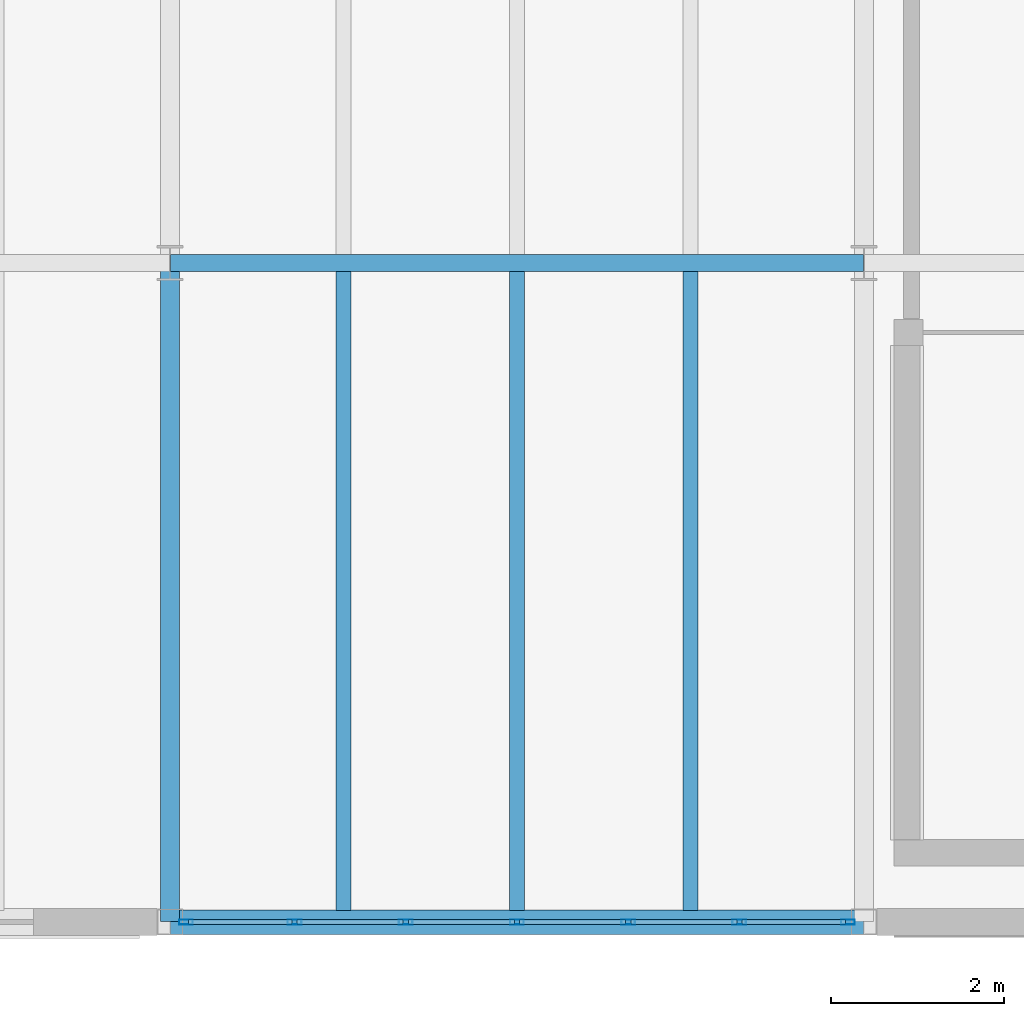
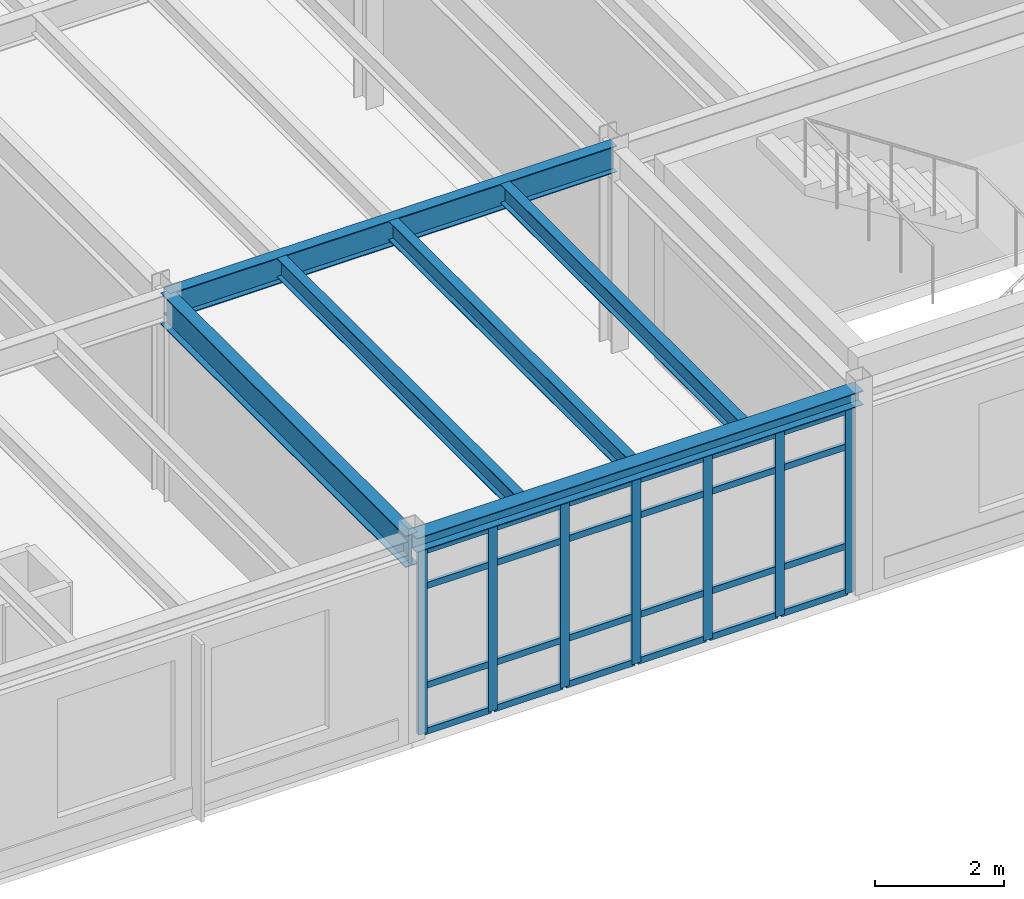
# One storey, part 97 of 165: 31 members, 6 beams, 1 element without a shape of its own.
"""IFC4 building model written with IfcOpenShell, lengths in metres."""

from ifc_helpers import new_model, si_unit, direction, frame, origin, origin_2d, place, context, subcontext, project, spatial, hollow_rectangle, i_section, extrude, material, layer, layer_set, material_profile, profile_set, type_object, element, aggregate, save


model = new_model("IFC4")

# Units and contexts
model_context = context("Model", 3, precision=1e-05, world=origin(), true_north=direction((0.0, 1.0)))
body_context = subcontext(model_context, "Body", "Model", "MODEL_VIEW")
ifc_project = project(units=[si_unit("LENGTHUNIT", "METRE"), si_unit("AREAUNIT", "SQUARE_METRE"), si_unit("VOLUMEUNIT", "CUBIC_METRE"), si_unit("PLANEANGLEUNIT", "RADIAN"), si_unit("MASSUNIT", "GRAM", prefix="KILO")], contexts=[model_context])

# Site, building, storey
site_placement = place(None, origin())
site = spatial("IfcSite", under=ifc_project, at=site_placement, CompositionType="ELEMENT")
building_placement = place(site_placement, origin())
building = spatial("IfcBuilding", under=site, at=building_placement, Name="Montecoro Central Library", CompositionType="ELEMENT")
storey_placement = place(building_placement, frame((0.0, 0.0, 5.10009765625)))
storey = spatial("IfcBuildingStorey", under=building, at=storey_placement, Name="L01", CompositionType="ELEMENT", Elevation=5.10009765625)

# Beams
ifc_material_1 = material(Name="Steel S355", Category="steel")
ifc_material_profile_1 = material_profile(ifc_material_1, i_section(OverallWidth=0.199951171875, OverallDepth=0.5, WebThickness=0.01025390625, FlangeThickness=0.01611328125, at=origin_2d()), Name="IPE 500")
ifc_profile_set_1 = profile_set([ifc_material_profile_1], Name="Steel S355")
beam_type_1 = type_object("IfcBeamType", Name="BM-G-IPE500", PredefinedType="USERDEFINED", material=ifc_profile_set_1)
beam_1_placement = place(storey_placement, frame((149.0048828125, 12.60009765625, 3.574951171875), z_axis=(1.0, 0.0, 0.0), x_axis=(0.0, 1.0, 0.0)))
element("IfcBeam", 1, at=beam_1_placement, inside=storey, type_object=beam_type_1, Name="V6-L01-BX-1920-B", ObjectType="GIRDER", PredefinedType="USERDEFINED", context=body_context, shape_type="SweptSolid", body=[
    extrude(i_section(OverallWidth=0.199951171875, OverallDepth=0.5, WebThickness=0.01025390625, FlangeThickness=0.01611328125, at=origin_2d()), origin(), (0.0, 0.0, 1.0), 7.990234375),
])
ifc_material_2 = material(Name="Steel S355J2", Category="steel")
ifc_material_profile_2 = material_profile(ifc_material_2, i_section(OverallWidth=0.219970703125, OverallDepth=0.60009765625, WebThickness=0.011962890625, FlangeThickness=0.01904296875, at=origin_2d()), Name="IPE 600")
ifc_profile_set_2 = profile_set([ifc_material_profile_2], Name="Steel S355J2")
beam_type_2 = type_object("IfcBeamType", Name="BM-G-IPE600", PredefinedType="USERDEFINED", material=ifc_profile_set_2)
beam_2_placement = place(storey_placement, frame((149.0, 5.0048828125, 3.52490234375), z_axis=(0.0, 1.0, 0.0), x_axis=(-1.0, 0.0, 0.0)))
element("IfcBeam", 2, at=beam_2_placement, inside=storey, type_object=beam_type_2, Name="V6-L01-BY-19-AB", ObjectType="GIRDER", PredefinedType="USERDEFINED", context=body_context, shape_type="SweptSolid", body=[
    extrude(i_section(OverallWidth=0.219970703125, OverallDepth=0.60009765625, WebThickness=0.011962890625, FlangeThickness=0.01904296875, at=origin_2d()), origin(), (0.0, 0.0, 1.0), 7.590087890625),
])
ifc_material_profile_3 = material_profile(ifc_material_1, i_section(OverallWidth=0.169921875, OverallDepth=0.360107421875, WebThickness=0.008056640625, FlangeThickness=0.0126953125, at=origin_2d()), Name="IPE 360")
ifc_profile_set_3 = profile_set([ifc_material_profile_3], Name="Steel S355")
beam_type_3 = type_object("IfcBeamType", Name="BM-J-IPE360", PredefinedType="JOIST", material=ifc_profile_set_3)
for number, where, z_axis, x_axis, name in (
    (3, (151.0, 5.136962890625, 3.64501953125), (0.0, 1.0, 0.0), (-1.0, 0.0, 0.0), "V6-L01-JS-1920-AB-1"),
    (4, (153.0, 5.136962890625, 3.64501953125), (0.0, 1.0, 0.0), (-1.0, 0.0, 0.0), "V6-L01-JS-1920-AB-2"),
    (5, (155.0, 5.136962890625, 3.64501953125), (0.0, 1.0, 0.0), (-1.0, 0.0, 0.0), "V6-L01-JS-1920-AB-3"),
):
    element("IfcBeam", number, at=place(storey_placement, frame(where, z_axis=z_axis, x_axis=x_axis)), inside=storey, type_object=beam_type_3, Name=name, PredefinedType="JOIST", context=body_context, shape_type="SweptSolid", body=[
        extrude(i_section(OverallWidth=0.169921875, OverallDepth=0.360107421875, WebThickness=0.008056640625, FlangeThickness=0.0126953125, at=origin_2d()), origin(), (0.0, 0.0, 1.0), 7.365966796875),
    ])
ifc_material_profile_4 = material_profile(ifc_material_1, i_section(OverallWidth=0.280029296875, OverallDepth=0.27001953125, WebThickness=0.008056640625, FlangeThickness=0.012939453125, at=origin_2d()), Name="HEA 280")
ifc_profile_set_4 = profile_set([ifc_material_profile_4], Name="Steel S355")
beam_type_4 = type_object("IfcBeamType", Name="BM-SP-HEA280", PredefinedType="SPANDREL", material=ifc_profile_set_4)
beam_3_placement = place(storey_placement, frame((149.0048828125, 5.0, 3.68994140625), z_axis=(1.0, 0.0, 0.0), x_axis=(0.0, 1.0, 0.0)))
element("IfcBeam", 6, at=beam_3_placement, inside=storey, type_object=beam_type_4, Name="V6-L01-BX-1920-A", PredefinedType="SPANDREL", context=body_context, shape_type="SweptSolid", body=[
    extrude(i_section(OverallWidth=0.280029296875, OverallDepth=0.27001953125, WebThickness=0.008056640625, FlangeThickness=0.012939453125, at=origin_2d()), origin(), (0.0, 0.0, 1.0), 7.990234375),
])

# Curtain wall, members
ifc_material_3 = material(Name="Bronze-anodised aluminium and low-E glazing", Category="aluminium")
ifc_layer = layer(ifc_material_3, 0.159912109375)
ifc_layer_set = layer_set([ifc_layer], Name="Bronze-anodised aluminium and low-E glazing")
curtain_wall_type = type_object("IfcCurtainWallType", Name="CWT-060", PredefinedType="NOTDEFINED", material=ifc_layer_set)
curtain_wall_placement = place(storey_placement, origin())
curtain_wall = element("IfcCurtainWall", 7, at=curtain_wall_placement, inside=storey, type_object=curtain_wall_type, Name="V6-L01-CW-S1", PredefinedType="NOTDEFINED")
ifc_material_4 = material(Name="Bronze-anodised aluminium", Category="aluminium")
ifc_material_profile_5 = material_profile(ifc_material_4, hollow_rectangle(XDim=0.06005859375, YDim=0.159912109375, WallThickness=0.00390625, at=origin_2d()), Name="CWM 160x60x4.0")
ifc_profile_set_5 = profile_set([ifc_material_profile_5], Name="Bronze-anodised aluminium")
member_type_1 = type_object("IfcMemberType", Name="CWM-BRZ-60", PredefinedType="MULLION", material=ifc_profile_set_5)
member_1_placement = place(storey_placement, frame((149.18310546875, 5.0, 0.0), z_axis=(0.0, 0.0, 1.0), x_axis=(0.0, 1.0, 0.0)))
member_1 = element("IfcMember", 8, at=member_1_placement, type_object=member_type_1, Name="CW-060 mullion 1", PredefinedType="MULLION", context=body_context, shape_type="SweptSolid", body=[
    extrude(hollow_rectangle(XDim=0.06005859375, YDim=0.159912109375, WallThickness=0.00390625, at=origin_2d()), origin(), (0.0, 0.0, 1.0), 3.47998046875),
])
member_2_placement = place(storey_placement, frame((150.435302734375, 5.0, 0.0), z_axis=(0.0, 0.0, 1.0), x_axis=(0.0, 1.0, 0.0)))
member_2 = element("IfcMember", 9, at=member_2_placement, type_object=member_type_1, Name="CW-060 mullion 2", PredefinedType="MULLION", context=body_context, shape_type="SweptSolid", body=[
    extrude(hollow_rectangle(XDim=0.06005859375, YDim=0.159912109375, WallThickness=0.00390625, at=origin_2d()), origin(), (0.0, 0.0, 1.0), 3.47998046875),
])
member_3_placement = place(storey_placement, frame((151.7177734375, 5.0, 0.0), z_axis=(0.0, 0.0, 1.0), x_axis=(0.0, 1.0, 0.0)))
member_3 = element("IfcMember", 10, at=member_3_placement, type_object=member_type_1, Name="CW-060 mullion 3", PredefinedType="MULLION", context=body_context, shape_type="SweptSolid", body=[
    extrude(hollow_rectangle(XDim=0.06005859375, YDim=0.159912109375, WallThickness=0.00390625, at=origin_2d()), origin(), (0.0, 0.0, 1.0), 3.47998046875),
])
member_4_placement = place(storey_placement, frame((153.0, 5.0, 0.0), z_axis=(0.0, 0.0, 1.0), x_axis=(0.0, 1.0, 0.0)))
member_4 = element("IfcMember", 11, at=member_4_placement, type_object=member_type_1, Name="CW-060 mullion 4", PredefinedType="MULLION", context=body_context, shape_type="SweptSolid", body=[
    extrude(hollow_rectangle(XDim=0.06005859375, YDim=0.159912109375, WallThickness=0.00390625, at=origin_2d()), origin(), (0.0, 0.0, 1.0), 3.47998046875),
])
member_5_placement = place(storey_placement, frame((154.2822265625, 5.0, 0.0), z_axis=(0.0, 0.0, 1.0), x_axis=(0.0, 1.0, 0.0)))
member_5 = element("IfcMember", 12, at=member_5_placement, type_object=member_type_1, Name="CW-060 mullion 5", PredefinedType="MULLION", context=body_context, shape_type="SweptSolid", body=[
    extrude(hollow_rectangle(XDim=0.06005859375, YDim=0.159912109375, WallThickness=0.00390625, at=origin_2d()), origin(), (0.0, 0.0, 1.0), 3.47998046875),
])
member_6_placement = place(storey_placement, frame((155.564697265625, 5.0, 0.0), z_axis=(0.0, 0.0, 1.0), x_axis=(0.0, 1.0, 0.0)))
member_6 = element("IfcMember", 13, at=member_6_placement, type_object=member_type_1, Name="CW-060 mullion 6", PredefinedType="MULLION", context=body_context, shape_type="SweptSolid", body=[
    extrude(hollow_rectangle(XDim=0.06005859375, YDim=0.159912109375, WallThickness=0.00390625, at=origin_2d()), origin(), (0.0, 0.0, 1.0), 3.47998046875),
])
member_7_placement = place(storey_placement, frame((156.81689453125, 5.0, 0.0), z_axis=(0.0, 0.0, 1.0), x_axis=(0.0, 1.0, 0.0)))
member_7 = element("IfcMember", 14, at=member_7_placement, type_object=member_type_1, Name="CW-060 mullion 7", PredefinedType="MULLION", context=body_context, shape_type="SweptSolid", body=[
    extrude(hollow_rectangle(XDim=0.06005859375, YDim=0.159912109375, WallThickness=0.00390625, at=origin_2d()), origin(), (0.0, 0.0, 1.0), 3.47998046875),
])
ifc_material_profile_6 = material_profile(ifc_material_4, hollow_rectangle(XDim=0.06005859375, YDim=0.1201171875, WallThickness=0.00390625, at=origin_2d()), Name="CWT 120x60x4.0")
ifc_profile_set_6 = profile_set([ifc_material_profile_6], Name="Bronze-anodised aluminium")
member_type_2 = type_object("IfcMemberType", Name="CWT-BRZ-60", PredefinedType="USERDEFINED", material=ifc_profile_set_6)
member_8_placement = place(storey_placement, frame((149.212890625, 5.0, 0.02978515625), z_axis=(1.0, 0.0, 0.0), x_axis=(0.0, 1.0, 0.0)))
member_8 = element("IfcMember", 15, at=member_8_placement, type_object=member_type_2, Name="CW-060 transom 1.1", ObjectType="TRANSOM", PredefinedType="USERDEFINED", context=body_context, shape_type="SweptSolid", body=[
    extrude(hollow_rectangle(XDim=0.06005859375, YDim=0.1201171875, WallThickness=0.00390625, at=origin_2d()), origin(), (0.0, 0.0, 1.0), 1.1923828125),
])
member_9_placement = place(storey_placement, frame((149.212890625, 5.0, 0.89990234375), z_axis=(1.0, 0.0, 0.0), x_axis=(0.0, 1.0, 0.0)))
member_9 = element("IfcMember", 16, at=member_9_placement, type_object=member_type_2, Name="CW-060 transom 1.2", ObjectType="TRANSOM", PredefinedType="USERDEFINED", context=body_context, shape_type="SweptSolid", body=[
    extrude(hollow_rectangle(XDim=0.06005859375, YDim=0.1201171875, WallThickness=0.00390625, at=origin_2d()), origin(), (0.0, 0.0, 1.0), 1.1923828125),
])
member_10_placement = place(storey_placement, frame((149.212890625, 5.0, 2.77978515625), z_axis=(1.0, 0.0, 0.0), x_axis=(0.0, 1.0, 0.0)))
member_10 = element("IfcMember", 17, at=member_10_placement, type_object=member_type_2, Name="CW-060 transom 1.3", ObjectType="TRANSOM", PredefinedType="USERDEFINED", context=body_context, shape_type="SweptSolid", body=[
    extrude(hollow_rectangle(XDim=0.06005859375, YDim=0.1201171875, WallThickness=0.00390625, at=origin_2d()), origin(), (0.0, 0.0, 1.0), 1.1923828125),
])
member_11_placement = place(storey_placement, frame((149.212890625, 5.0, 3.449951171875), z_axis=(1.0, 0.0, 0.0), x_axis=(0.0, 1.0, 0.0)))
member_11 = element("IfcMember", 18, at=member_11_placement, type_object=member_type_2, Name="CW-060 transom 1.4", ObjectType="TRANSOM", PredefinedType="USERDEFINED", context=body_context, shape_type="SweptSolid", body=[
    extrude(hollow_rectangle(XDim=0.06005859375, YDim=0.1201171875, WallThickness=0.00390625, at=origin_2d()), origin(), (0.0, 0.0, 1.0), 1.1923828125),
])
member_12_placement = place(storey_placement, frame((150.46533203125, 5.0, 0.02978515625), z_axis=(1.0, 0.0, 0.0), x_axis=(0.0, 1.0, 0.0)))
member_12 = element("IfcMember", 19, at=member_12_placement, type_object=member_type_2, Name="CW-060 transom 2.1", ObjectType="TRANSOM", PredefinedType="USERDEFINED", context=body_context, shape_type="SweptSolid", body=[
    extrude(hollow_rectangle(XDim=0.06005859375, YDim=0.1201171875, WallThickness=0.00390625, at=origin_2d()), origin(), (0.0, 0.0, 1.0), 1.222412109375),
])
member_13_placement = place(storey_placement, frame((150.46533203125, 5.0, 0.89990234375), z_axis=(1.0, 0.0, 0.0), x_axis=(0.0, 1.0, 0.0)))
member_13 = element("IfcMember", 20, at=member_13_placement, type_object=member_type_2, Name="CW-060 transom 2.2", ObjectType="TRANSOM", PredefinedType="USERDEFINED", context=body_context, shape_type="SweptSolid", body=[
    extrude(hollow_rectangle(XDim=0.06005859375, YDim=0.1201171875, WallThickness=0.00390625, at=origin_2d()), origin(), (0.0, 0.0, 1.0), 1.222412109375),
])
member_14_placement = place(storey_placement, frame((150.46533203125, 5.0, 2.77978515625), z_axis=(1.0, 0.0, 0.0), x_axis=(0.0, 1.0, 0.0)))
member_14 = element("IfcMember", 21, at=member_14_placement, type_object=member_type_2, Name="CW-060 transom 2.3", ObjectType="TRANSOM", PredefinedType="USERDEFINED", context=body_context, shape_type="SweptSolid", body=[
    extrude(hollow_rectangle(XDim=0.06005859375, YDim=0.1201171875, WallThickness=0.00390625, at=origin_2d()), origin(), (0.0, 0.0, 1.0), 1.222412109375),
])
member_15_placement = place(storey_placement, frame((150.46533203125, 5.0, 3.449951171875), z_axis=(1.0, 0.0, 0.0), x_axis=(0.0, 1.0, 0.0)))
member_15 = element("IfcMember", 22, at=member_15_placement, type_object=member_type_2, Name="CW-060 transom 2.4", ObjectType="TRANSOM", PredefinedType="USERDEFINED", context=body_context, shape_type="SweptSolid", body=[
    extrude(hollow_rectangle(XDim=0.06005859375, YDim=0.1201171875, WallThickness=0.00390625, at=origin_2d()), origin(), (0.0, 0.0, 1.0), 1.222412109375),
])
member_16_placement = place(storey_placement, frame((151.74755859375, 5.0, 0.02978515625), z_axis=(1.0, 0.0, 0.0), x_axis=(0.0, 1.0, 0.0)))
member_16 = element("IfcMember", 23, at=member_16_placement, type_object=member_type_2, Name="CW-060 transom 3.1", ObjectType="TRANSOM", PredefinedType="USERDEFINED", context=body_context, shape_type="SweptSolid", body=[
    extrude(hollow_rectangle(XDim=0.06005859375, YDim=0.1201171875, WallThickness=0.00390625, at=origin_2d()), origin(), (0.0, 0.0, 1.0), 1.222412109375),
])
member_17_placement = place(storey_placement, frame((151.74755859375, 5.0, 0.89990234375), z_axis=(1.0, 0.0, 0.0), x_axis=(0.0, 1.0, 0.0)))
member_17 = element("IfcMember", 24, at=member_17_placement, type_object=member_type_2, Name="CW-060 transom 3.2", ObjectType="TRANSOM", PredefinedType="USERDEFINED", context=body_context, shape_type="SweptSolid", body=[
    extrude(hollow_rectangle(XDim=0.06005859375, YDim=0.1201171875, WallThickness=0.00390625, at=origin_2d()), origin(), (0.0, 0.0, 1.0), 1.222412109375),
])
member_18_placement = place(storey_placement, frame((151.74755859375, 5.0, 2.77978515625), z_axis=(1.0, 0.0, 0.0), x_axis=(0.0, 1.0, 0.0)))
member_18 = element("IfcMember", 25, at=member_18_placement, type_object=member_type_2, Name="CW-060 transom 3.3", ObjectType="TRANSOM", PredefinedType="USERDEFINED", context=body_context, shape_type="SweptSolid", body=[
    extrude(hollow_rectangle(XDim=0.06005859375, YDim=0.1201171875, WallThickness=0.00390625, at=origin_2d()), origin(), (0.0, 0.0, 1.0), 1.222412109375),
])
member_19_placement = place(storey_placement, frame((151.74755859375, 5.0, 3.449951171875), z_axis=(1.0, 0.0, 0.0), x_axis=(0.0, 1.0, 0.0)))
member_19 = element("IfcMember", 26, at=member_19_placement, type_object=member_type_2, Name="CW-060 transom 3.4", ObjectType="TRANSOM", PredefinedType="USERDEFINED", context=body_context, shape_type="SweptSolid", body=[
    extrude(hollow_rectangle(XDim=0.06005859375, YDim=0.1201171875, WallThickness=0.00390625, at=origin_2d()), origin(), (0.0, 0.0, 1.0), 1.222412109375),
])
member_20_placement = place(storey_placement, frame((153.030029296875, 5.0, 0.02978515625), z_axis=(1.0, 0.0, 0.0), x_axis=(0.0, 1.0, 0.0)))
member_20 = element("IfcMember", 27, at=member_20_placement, type_object=member_type_2, Name="CW-060 transom 4.1", ObjectType="TRANSOM", PredefinedType="USERDEFINED", context=body_context, shape_type="SweptSolid", body=[
    extrude(hollow_rectangle(XDim=0.06005859375, YDim=0.1201171875, WallThickness=0.00390625, at=origin_2d()), origin(), (0.0, 0.0, 1.0), 1.222412109375),
])
member_21_placement = place(storey_placement, frame((153.030029296875, 5.0, 0.89990234375), z_axis=(1.0, 0.0, 0.0), x_axis=(0.0, 1.0, 0.0)))
member_21 = element("IfcMember", 28, at=member_21_placement, type_object=member_type_2, Name="CW-060 transom 4.2", ObjectType="TRANSOM", PredefinedType="USERDEFINED", context=body_context, shape_type="SweptSolid", body=[
    extrude(hollow_rectangle(XDim=0.06005859375, YDim=0.1201171875, WallThickness=0.00390625, at=origin_2d()), origin(), (0.0, 0.0, 1.0), 1.222412109375),
])
member_22_placement = place(storey_placement, frame((153.030029296875, 5.0, 2.77978515625), z_axis=(1.0, 0.0, 0.0), x_axis=(0.0, 1.0, 0.0)))
member_22 = element("IfcMember", 29, at=member_22_placement, type_object=member_type_2, Name="CW-060 transom 4.3", ObjectType="TRANSOM", PredefinedType="USERDEFINED", context=body_context, shape_type="SweptSolid", body=[
    extrude(hollow_rectangle(XDim=0.06005859375, YDim=0.1201171875, WallThickness=0.00390625, at=origin_2d()), origin(), (0.0, 0.0, 1.0), 1.222412109375),
])
member_23_placement = place(storey_placement, frame((153.030029296875, 5.0, 3.449951171875), z_axis=(1.0, 0.0, 0.0), x_axis=(0.0, 1.0, 0.0)))
member_23 = element("IfcMember", 30, at=member_23_placement, type_object=member_type_2, Name="CW-060 transom 4.4", ObjectType="TRANSOM", PredefinedType="USERDEFINED", context=body_context, shape_type="SweptSolid", body=[
    extrude(hollow_rectangle(XDim=0.06005859375, YDim=0.1201171875, WallThickness=0.00390625, at=origin_2d()), origin(), (0.0, 0.0, 1.0), 1.222412109375),
])
member_24_placement = place(storey_placement, frame((154.312255859375, 5.0, 0.02978515625), z_axis=(1.0, 0.0, 0.0), x_axis=(0.0, 1.0, 0.0)))
member_24 = element("IfcMember", 31, at=member_24_placement, type_object=member_type_2, Name="CW-060 transom 5.1", ObjectType="TRANSOM", PredefinedType="USERDEFINED", context=body_context, shape_type="SweptSolid", body=[
    extrude(hollow_rectangle(XDim=0.06005859375, YDim=0.1201171875, WallThickness=0.00390625, at=origin_2d()), origin(), (0.0, 0.0, 1.0), 1.222412109375),
])
member_25_placement = place(storey_placement, frame((154.312255859375, 5.0, 0.89990234375), z_axis=(1.0, 0.0, 0.0), x_axis=(0.0, 1.0, 0.0)))
member_25 = element("IfcMember", 32, at=member_25_placement, type_object=member_type_2, Name="CW-060 transom 5.2", ObjectType="TRANSOM", PredefinedType="USERDEFINED", context=body_context, shape_type="SweptSolid", body=[
    extrude(hollow_rectangle(XDim=0.06005859375, YDim=0.1201171875, WallThickness=0.00390625, at=origin_2d()), origin(), (0.0, 0.0, 1.0), 1.222412109375),
])
member_26_placement = place(storey_placement, frame((154.312255859375, 5.0, 2.77978515625), z_axis=(1.0, 0.0, 0.0), x_axis=(0.0, 1.0, 0.0)))
member_26 = element("IfcMember", 33, at=member_26_placement, type_object=member_type_2, Name="CW-060 transom 5.3", ObjectType="TRANSOM", PredefinedType="USERDEFINED", context=body_context, shape_type="SweptSolid", body=[
    extrude(hollow_rectangle(XDim=0.06005859375, YDim=0.1201171875, WallThickness=0.00390625, at=origin_2d()), origin(), (0.0, 0.0, 1.0), 1.222412109375),
])
member_27_placement = place(storey_placement, frame((154.312255859375, 5.0, 3.449951171875), z_axis=(1.0, 0.0, 0.0), x_axis=(0.0, 1.0, 0.0)))
member_27 = element("IfcMember", 34, at=member_27_placement, type_object=member_type_2, Name="CW-060 transom 5.4", ObjectType="TRANSOM", PredefinedType="USERDEFINED", context=body_context, shape_type="SweptSolid", body=[
    extrude(hollow_rectangle(XDim=0.06005859375, YDim=0.1201171875, WallThickness=0.00390625, at=origin_2d()), origin(), (0.0, 0.0, 1.0), 1.222412109375),
])
member_28_placement = place(storey_placement, frame((155.5947265625, 5.0, 0.02978515625), z_axis=(1.0, 0.0, 0.0), x_axis=(0.0, 1.0, 0.0)))
member_28 = element("IfcMember", 35, at=member_28_placement, type_object=member_type_2, Name="CW-060 transom 6.1", ObjectType="TRANSOM", PredefinedType="USERDEFINED", context=body_context, shape_type="SweptSolid", body=[
    extrude(hollow_rectangle(XDim=0.06005859375, YDim=0.1201171875, WallThickness=0.00390625, at=origin_2d()), origin(), (0.0, 0.0, 1.0), 1.1923828125),
])
member_29_placement = place(storey_placement, frame((155.5947265625, 5.0, 0.89990234375), z_axis=(1.0, 0.0, 0.0), x_axis=(0.0, 1.0, 0.0)))
member_29 = element("IfcMember", 36, at=member_29_placement, type_object=member_type_2, Name="CW-060 transom 6.2", ObjectType="TRANSOM", PredefinedType="USERDEFINED", context=body_context, shape_type="SweptSolid", body=[
    extrude(hollow_rectangle(XDim=0.06005859375, YDim=0.1201171875, WallThickness=0.00390625, at=origin_2d()), origin(), (0.0, 0.0, 1.0), 1.1923828125),
])
member_30_placement = place(storey_placement, frame((155.5947265625, 5.0, 2.77978515625), z_axis=(1.0, 0.0, 0.0), x_axis=(0.0, 1.0, 0.0)))
member_30 = element("IfcMember", 37, at=member_30_placement, type_object=member_type_2, Name="CW-060 transom 6.3", ObjectType="TRANSOM", PredefinedType="USERDEFINED", context=body_context, shape_type="SweptSolid", body=[
    extrude(hollow_rectangle(XDim=0.06005859375, YDim=0.1201171875, WallThickness=0.00390625, at=origin_2d()), origin(), (0.0, 0.0, 1.0), 1.1923828125),
])
member_31_placement = place(storey_placement, frame((155.5947265625, 5.0, 3.449951171875), z_axis=(1.0, 0.0, 0.0), x_axis=(0.0, 1.0, 0.0)))
member_31 = element("IfcMember", 38, at=member_31_placement, type_object=member_type_2, Name="CW-060 transom 6.4", ObjectType="TRANSOM", PredefinedType="USERDEFINED", context=body_context, shape_type="SweptSolid", body=[
    extrude(hollow_rectangle(XDim=0.06005859375, YDim=0.1201171875, WallThickness=0.00390625, at=origin_2d()), origin(), (0.0, 0.0, 1.0), 1.1923828125),
])
aggregate(curtain_wall, [member_1, member_2, member_3, member_4, member_5, member_6, member_7, member_8, member_9, member_10, member_11, member_12, member_13, member_14, member_15, member_16, member_17, member_18, member_19, member_20, member_21, member_22, member_23, member_24, member_25, member_26, member_27, member_28, member_29, member_30, member_31])

save(model, "model.ifc")
